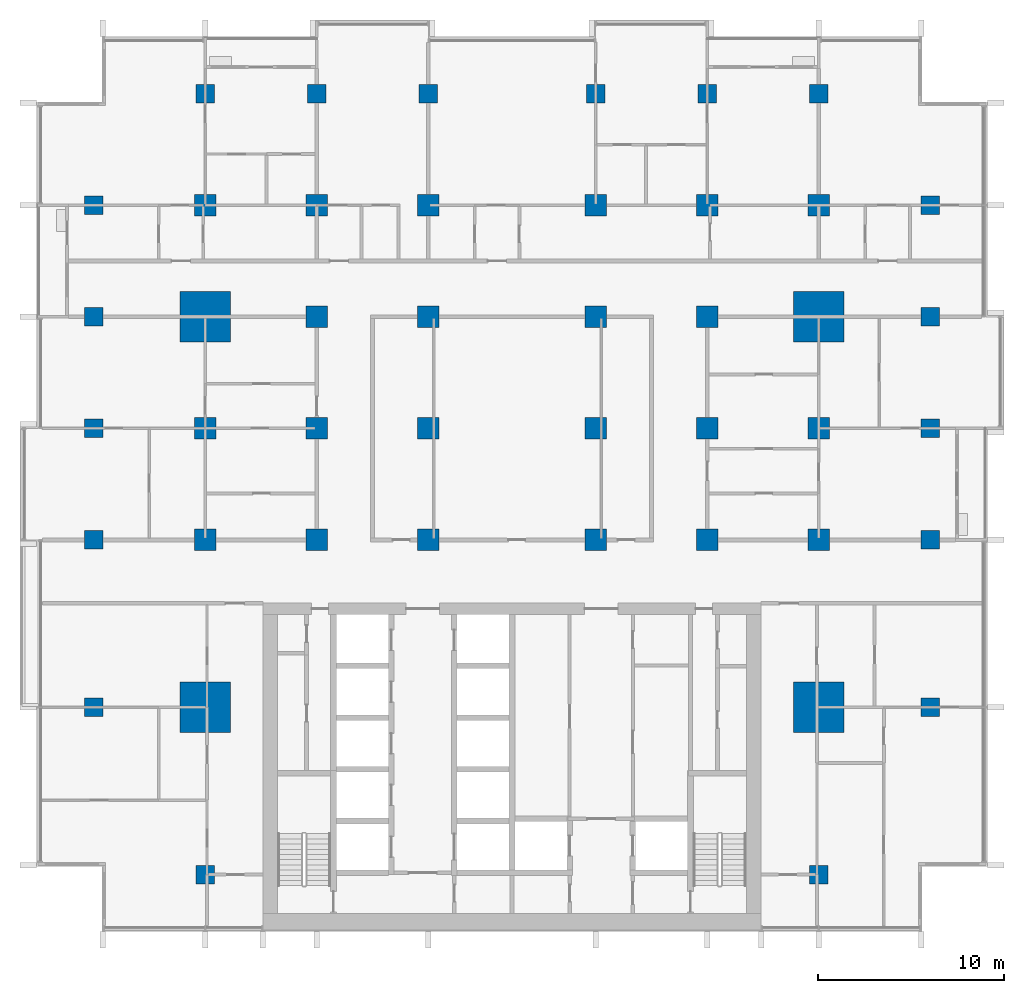
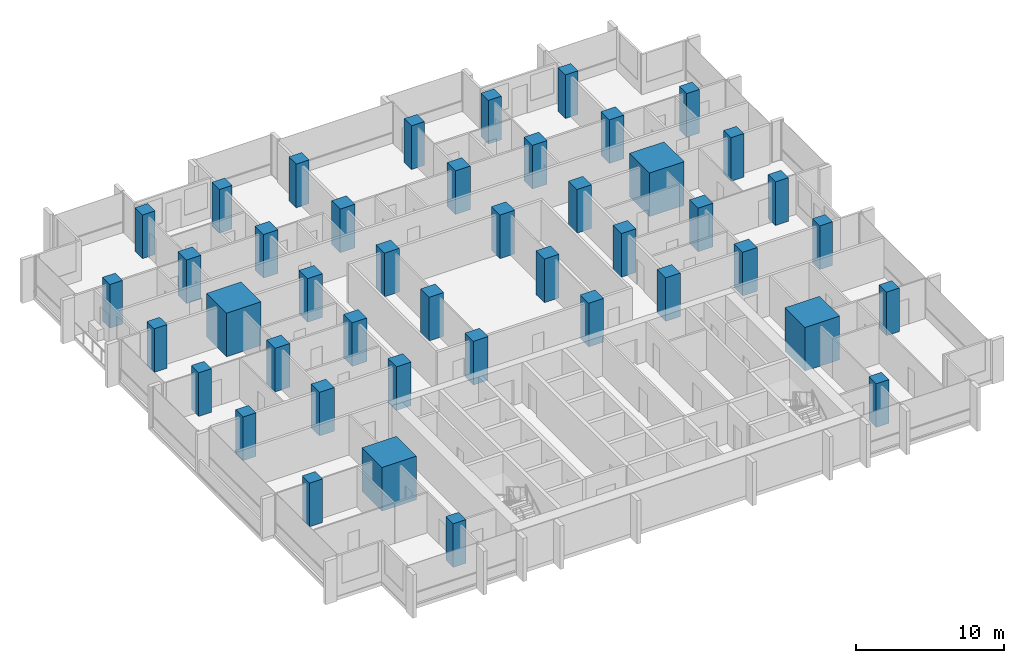
# One storey, part 1 of 18: 44 columns.
"""IFC4 building model written with IfcOpenShell, lengths in metres."""

from ifc_helpers import new_model, si_unit, direction, frame, origin, origin_2d, place, context, subcontext, project, spatial, rectangle, extrude, material, material_profile, profile_set, type_object, element, save


model = new_model("IFC4")

# Units and contexts
model_context = context("Model", 3, precision=1e-05, world=origin(), true_north=direction((0.0, 1.0)))
body_context = subcontext(model_context, "Body", "Model", "MODEL_VIEW")
ifc_project = project(units=[si_unit("LENGTHUNIT", "METRE"), si_unit("AREAUNIT", "SQUARE_METRE"), si_unit("VOLUMEUNIT", "CUBIC_METRE"), si_unit("PLANEANGLEUNIT", "RADIAN"), si_unit("MASSUNIT", "GRAM", prefix="KILO")], contexts=[model_context])

# Site, building, storey
site_placement = place(None, origin())
site = spatial("IfcSite", under=ifc_project, at=site_placement, CompositionType="ELEMENT")
building_placement = place(site_placement, origin())
building = spatial("IfcBuilding", under=site, at=building_placement, Name="Finial Court Residences", CompositionType="ELEMENT")
storey_placement = place(building_placement, frame((0.0, 0.0, 84.699951171875)))
storey = spatial("IfcBuildingStorey", under=building, at=storey_placement, Name="L20", CompositionType="ELEMENT", Elevation=84.699951171875)

# Columns
ifc_material = material(Name="Concrete C70/85", Category="concrete")
ifc_material_profile_1 = material_profile(ifc_material, rectangle(XDim=1.14990234375, YDim=1.14990234375, at=origin_2d()), Name="1150x1150")
ifc_profile_set_1 = profile_set([ifc_material_profile_1], Name="Concrete C70/85")
column_type_1 = type_object("IfcColumnType", Name="Interior column 1150x1150 Concrete C70/85", PredefinedType="COLUMN", material=ifc_profile_set_1)
for number, where, z_axis, x_axis, name in (
    (1, (-16.5, -4.5, 0.0), (0.0, 0.0, 1.0), (1.0, 0.0, 0.0), "S:COL:L20:C4"),
    (2, (-16.5, 1.5, 0.0), (0.0, 0.0, 1.0), (1.0, 0.0, 0.0), "S:COL:L20:C5"),
    (3, (-16.5, 13.5, 0.0), (0.0, 0.0, 1.0), (1.0, 0.0, 0.0), "S:COL:L20:C7"),
    (4, (-10.5, -4.5, 0.0), (0.0, 0.0, 1.0), (1.0, 0.0, 0.0), "S:COL:L20:D4"),
    (5, (-10.5, 1.5, 0.0), (0.0, 0.0, 1.0), (1.0, 0.0, 0.0), "S:COL:L20:D5"),
    (6, (-10.5, 7.5, 0.0), (0.0, 0.0, 1.0), (1.0, 0.0, 0.0), "S:COL:L20:D6"),
    (7, (-10.5, 13.5, 0.0), (0.0, 0.0, 1.0), (1.0, 0.0, 0.0), "S:COL:L20:D7"),
    (8, (-4.5, -4.5, 0.0), (0.0, 0.0, 1.0), (1.0, 0.0, 0.0), "S:COL:L20:E4"),
    (9, (-4.5, 1.5, 0.0), (0.0, 0.0, 1.0), (1.0, 0.0, 0.0), "S:COL:L20:E5"),
    (10, (-4.5, 7.5, 0.0), (0.0, 0.0, 1.0), (1.0, 0.0, 0.0), "S:COL:L20:E6"),
    (11, (-4.5, 13.5, 0.0), (0.0, 0.0, 1.0), (1.0, 0.0, 0.0), "S:COL:L20:E7"),
    (12, (4.5, -4.5, 0.0), (0.0, 0.0, 1.0), (1.0, 0.0, 0.0), "S:COL:L20:F4"),
    (13, (4.5, 1.5, 0.0), (0.0, 0.0, 1.0), (1.0, 0.0, 0.0), "S:COL:L20:F5"),
    (14, (4.5, 7.5, 0.0), (0.0, 0.0, 1.0), (1.0, 0.0, 0.0), "S:COL:L20:F6"),
    (15, (4.5, 13.5, 0.0), (0.0, 0.0, 1.0), (1.0, 0.0, 0.0), "S:COL:L20:F7"),
    (16, (10.5, -4.5, 0.0), (0.0, 0.0, 1.0), (1.0, 0.0, 0.0), "S:COL:L20:G4"),
    (17, (10.5, 1.5, 0.0), (0.0, 0.0, 1.0), (1.0, 0.0, 0.0), "S:COL:L20:G5"),
    (18, (10.5, 7.5, 0.0), (0.0, 0.0, 1.0), (1.0, 0.0, 0.0), "S:COL:L20:G6"),
    (19, (10.5, 13.5, 0.0), (0.0, 0.0, 1.0), (1.0, 0.0, 0.0), "S:COL:L20:G7"),
    (20, (16.5, -4.5, 0.0), (0.0, 0.0, 1.0), (1.0, 0.0, 0.0), "S:COL:L20:H4"),
    (21, (16.5, 1.5, 0.0), (0.0, 0.0, 1.0), (1.0, 0.0, 0.0), "S:COL:L20:H5"),
    (22, (16.5, 13.5, 0.0), (0.0, 0.0, 1.0), (1.0, 0.0, 0.0), "S:COL:L20:H7"),
):
    element("IfcColumn", number, at=place(storey_placement, frame(where, z_axis=z_axis, x_axis=x_axis)), inside=storey, type_object=column_type_1, Name=name, PredefinedType="COLUMN", context=body_context, shape_type="SweptSolid", body=[
        extrude(rectangle(XDim=1.14990234375, YDim=1.14990234375, at=origin_2d()), origin(), (0.0, 0.0, 1.0), 3.60009765625),
    ])
ifc_material_profile_2 = material_profile(ifc_material, rectangle(XDim=2.699951171875, YDim=2.699951171875, at=origin_2d()), Name="2700x2700")
ifc_profile_set_2 = profile_set([ifc_material_profile_2], Name="Concrete C70/85")
column_type_2 = type_object("IfcColumnType", Name="Mega column 2700x2700 Concrete C70/85", PredefinedType="COLUMN", material=ifc_profile_set_2)
for number, where, z_axis, x_axis, name in (
    (23, (-16.5, -13.5, 0.0), (0.0, 0.0, 1.0), (1.0, 0.0, 0.0), "S:COL:L20:C3"),
    (24, (-16.5, 7.5, 0.0), (0.0, 0.0, 1.0), (1.0, 0.0, 0.0), "S:COL:L20:C6"),
    (25, (16.5, -13.5, 0.0), (0.0, 0.0, 1.0), (1.0, 0.0, 0.0), "S:COL:L20:H3"),
    (26, (16.5, 7.5, 0.0), (0.0, 0.0, 1.0), (1.0, 0.0, 0.0), "S:COL:L20:H6"),
):
    element("IfcColumn", number, at=place(storey_placement, frame(where, z_axis=z_axis, x_axis=x_axis)), inside=storey, type_object=column_type_2, Name=name, PredefinedType="COLUMN", context=body_context, shape_type="SweptSolid", body=[
        extrude(rectangle(XDim=2.699951171875, YDim=2.699951171875, at=origin_2d()), origin(), (0.0, 0.0, 1.0), 3.60009765625),
    ])
ifc_material_profile_3 = material_profile(ifc_material, rectangle(XDim=1.0, YDim=1.0, at=origin_2d()), Name="1000x1000")
ifc_profile_set_3 = profile_set([ifc_material_profile_3], Name="Concrete C70/85")
column_type_3 = type_object("IfcColumnType", Name="Perimeter column 1000x1000 Concrete C70/85", PredefinedType="COLUMN", material=ifc_profile_set_3)
for number, where, z_axis, x_axis, name in (
    (27, (-22.5, -13.5, 0.0), (0.0, 0.0, 1.0), (1.0, 0.0, 0.0), "S:COL:L20:B3"),
    (28, (-22.5, -4.5, 0.0), (0.0, 0.0, 1.0), (1.0, 0.0, 0.0), "S:COL:L20:B4"),
    (29, (-22.5, 1.5, 0.0), (0.0, 0.0, 1.0), (1.0, 0.0, 0.0), "S:COL:L20:B5"),
    (30, (-22.5, 7.5, 0.0), (0.0, 0.0, 1.0), (1.0, 0.0, 0.0), "S:COL:L20:B6"),
    (31, (-22.5, 13.5, 0.0), (0.0, 0.0, 1.0), (1.0, 0.0, 0.0), "S:COL:L20:B7"),
    (32, (-16.5, -22.5, 0.0), (0.0, 0.0, 1.0), (1.0, 0.0, 0.0), "S:COL:L20:C2"),
    (33, (-16.5, 19.5, 0.0), (0.0, 0.0, 1.0), (1.0, 0.0, 0.0), "S:COL:L20:C8"),
    (34, (-10.5, 19.5, 0.0), (0.0, 0.0, 1.0), (1.0, 0.0, 0.0), "S:COL:L20:D8"),
    (35, (-4.5, 19.5, 0.0), (0.0, 0.0, 1.0), (1.0, 0.0, 0.0), "S:COL:L20:E8"),
    (36, (4.5, 19.5, 0.0), (0.0, 0.0, 1.0), (1.0, 0.0, 0.0), "S:COL:L20:F8"),
    (37, (10.5, 19.5, 0.0), (0.0, 0.0, 1.0), (1.0, 0.0, 0.0), "S:COL:L20:G8"),
    (38, (16.5, -22.5, 0.0), (0.0, 0.0, 1.0), (1.0, 0.0, 0.0), "S:COL:L20:H2"),
    (39, (16.5, 19.5, 0.0), (0.0, 0.0, 1.0), (1.0, 0.0, 0.0), "S:COL:L20:H8"),
    (40, (22.5, -13.5, 0.0), (0.0, 0.0, 1.0), (1.0, 0.0, 0.0), "S:COL:L20:I3"),
    (41, (22.5, -4.5, 0.0), (0.0, 0.0, 1.0), (1.0, 0.0, 0.0), "S:COL:L20:I4"),
    (42, (22.5, 1.5, 0.0), (0.0, 0.0, 1.0), (1.0, 0.0, 0.0), "S:COL:L20:I5"),
    (43, (22.5, 7.5, 0.0), (0.0, 0.0, 1.0), (1.0, 0.0, 0.0), "S:COL:L20:I6"),
    (44, (22.5, 13.5, 0.0), (0.0, 0.0, 1.0), (1.0, 0.0, 0.0), "S:COL:L20:I7"),
):
    element("IfcColumn", number, at=place(storey_placement, frame(where, z_axis=z_axis, x_axis=x_axis)), inside=storey, type_object=column_type_3, Name=name, PredefinedType="COLUMN", context=body_context, shape_type="SweptSolid", body=[
        extrude(rectangle(XDim=1.0, YDim=1.0, at=origin_2d()), origin(), (0.0, 0.0, 1.0), 3.60009765625),
    ])

save(model, "model.ifc")
